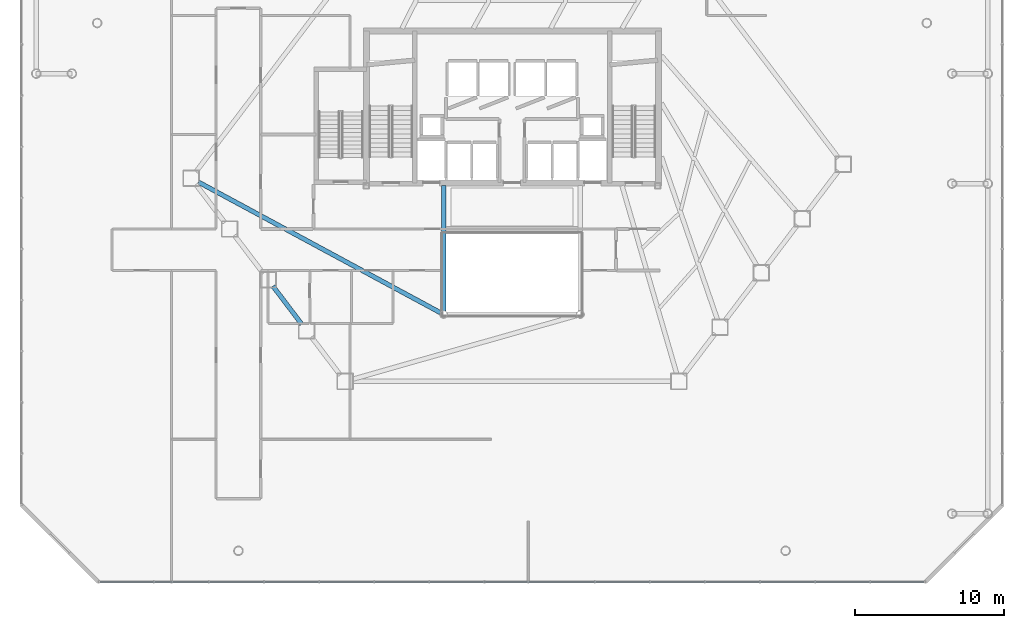
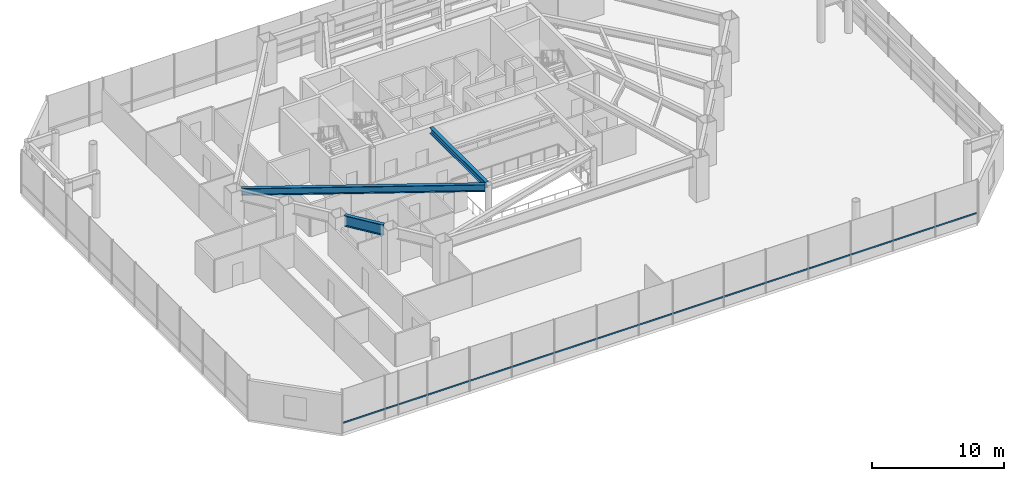
# One storey, part 11 of 33: 3 beams, 1 member, 1 element without a shape of its own.
"""IFC4 building model written with IfcOpenShell, lengths in metres."""

import ifcopenshell
import ifcopenshell.guid

model = None  # the IFC model being written
_history = None  # IfcOwnerHistory: only IFC2X3 demands one
_inside = {}  # id of a spatial element -> (the spatial element, [elements in it])
_under = {}  # id of a project, library or spatial element -> (it, [spatial elements below it])
_declared = {}  # id of a project -> (the project, [libraries it declares])
_typed = {}  # id of a type object -> (the type object, [elements of that type])
_made_of = {}  # id of a material, layer set ... -> (it, [elements and type objects made of it])


def new_model(schema):
    """Start an empty IFC model of exactly this schema.

    Asked for "IFC4X3", IfcOpenShell would pick the latest addendum, in which some entities
    have other attributes; the version numbers below select the first issue.
    IFC2X3 requires an IfcOwnerHistory on every rooted entity: one is made here for all.
    """
    global model, _history
    if schema == "IFC4X3":
        model = ifcopenshell.file(schema_version=(4, 3, 0, 0))
    else:
        model = ifcopenshell.file(schema=schema)
    _inside.clear()
    _under.clear()
    _declared.clear()
    _typed.clear()
    _made_of.clear()
    _history = None
    if model.schema == "IFC2X3":
        org = make("IfcOrganization", Name="unknown")
        user = make(
            "IfcPersonAndOrganization",
            ThePerson=make("IfcPerson", FamilyName="unknown"),
            TheOrganization=org,
        )
        app = make(
            "IfcApplication",
            ApplicationDeveloper=org,
            Version="unknown",
            ApplicationFullName="unknown",
            ApplicationIdentifier="unknown",
        )
        _history = make(
            "IfcOwnerHistory",
            OwningUser=user,
            OwningApplication=app,
            ChangeAction="ADDED",
            CreationDate=0,
        )
    return model


def make(cls, **values):
    """One entity of the class cls with the attributes given. An attribute that is None is left unset."""
    return model.create_entity(
        cls, **{name: value for name, value in values.items() if value is not None}
    )


def rooted(cls, **values):
    """An entity with a GlobalId (a new one), such as an element, a storey or a relation."""
    return make(cls, GlobalId=ifcopenshell.guid.new(), OwnerHistory=_history, **values)


def si_unit(unit_type, name, prefix=None):
    """IfcSIUnit, for example si_unit("LENGTHUNIT", "METRE", prefix="MILLI")."""
    return make("IfcSIUnit", UnitType=unit_type, Prefix=prefix, Name=name)


def assignment(units):
    """IfcUnitAssignment: the units of a project."""
    return None if units is None else make("IfcUnitAssignment", Units=units)


def point(xyz):
    """IfcCartesianPoint."""
    return None if xyz is None else make("IfcCartesianPoint", Coordinates=xyz)


def direction(xyz):
    """IfcDirection."""
    return None if xyz is None else make("IfcDirection", DirectionRatios=xyz)


def frame(location, z_axis=None, x_axis=None):
    """IfcAxis2Placement3D, a coordinate frame: its origin and axes. An axis left out is left unset."""
    return make(
        "IfcAxis2Placement3D",
        Location=point(location),
        Axis=direction(z_axis),
        RefDirection=direction(x_axis),
    )


def frame_2d(location, x_axis=None):
    """IfcAxis2Placement2D, a coordinate frame in the plane: its origin and x axis."""
    return make(
        "IfcAxis2Placement2D", Location=point(location), RefDirection=direction(x_axis)
    )


def origin():
    """The frame at (0, 0, 0) with its axes left unset."""
    return frame((0.0, 0.0, 0.0))


def origin_2d():
    """The frame at (0, 0) in the plane with its x axis left unset."""
    return frame_2d((0.0, 0.0))


def place(relative_to, where):
    """IfcLocalPlacement: puts the frame where relative to a parent placement (None: the world)."""
    return make(
        "IfcLocalPlacement", PlacementRelTo=relative_to, RelativePlacement=where
    )


def context(
    kind, dimensions, precision=None, world=None, true_north=None, identifier=None
):
    """IfcGeometricRepresentationContext, for example the 3D "Model" context."""
    return make(
        "IfcGeometricRepresentationContext",
        ContextIdentifier=identifier,
        ContextType=kind,
        CoordinateSpaceDimension=dimensions,
        Precision=precision,
        WorldCoordinateSystem=world,
        TrueNorth=true_north,
    )


def subcontext(parent, identifier, kind, view, scale=None):
    """IfcGeometricRepresentationSubContext, for example "Body" below "Model"."""
    return make(
        "IfcGeometricRepresentationSubContext",
        ContextIdentifier=identifier,
        ContextType=kind,
        ParentContext=parent,
        TargetScale=scale,
        TargetView=view,
    )


def project(units=None, contexts=None):
    """IfcProject with its units and contexts."""
    return rooted(
        "IfcProject",
        Name="project",
        RepresentationContexts=contexts,
        UnitsInContext=assignment(units),
    )


def spatial(cls, under=None, at=None, **own):
    """A site, building, storey or space (cls), placed at a placement, below another one or the project."""
    s = rooted(cls, ObjectPlacement=at, **own)
    if under is not None:
        _under.setdefault(under.id(), (under, []))[1].append(s)
    return s


def profile(cls, at=None, kind="AREA", **sizes):
    """A parametric profile (cls). Its sizes go by their IFC names, for example OverallWidth=200.0."""
    return make(cls, ProfileType=kind, Position=at, **sizes)


def hollow_rectangle(**sizes):
    """IfcRectangleHollowProfileDef."""
    return profile("IfcRectangleHollowProfileDef", **sizes)


def i_section(**sizes):
    """IfcIShapeProfileDef."""
    return profile("IfcIShapeProfileDef", **sizes)


def extrude(swept, where, along, depth):
    """IfcExtrudedAreaSolid: the profile swept, set in the frame where, extruded along a direction by depth."""
    return make(
        "IfcExtrudedAreaSolid",
        SweptArea=swept,
        Position=where,
        ExtrudedDirection=direction(along),
        Depth=depth,
    )


def shape(context_of_items, identifier, shape_type, items):
    """IfcShapeRepresentation: the items that make up one representation, for example the "Body"."""
    return make(
        "IfcShapeRepresentation",
        ContextOfItems=context_of_items,
        RepresentationIdentifier=identifier,
        RepresentationType=shape_type,
        Items=items,
    )


def material(Name=None, Category=None):
    """IfcMaterial."""
    return make("IfcMaterial", Name=Name, Category=Category)


def layer(
    of_material, thickness, ventilated=None, Name=None, Category=None, Priority=None
):
    """IfcMaterialLayer: one layer of a wall or slab, of a material (None: an air gap)."""
    return make(
        "IfcMaterialLayer",
        Material=of_material,
        LayerThickness=thickness,
        IsVentilated=ventilated,
        Name=Name,
        Category=Category,
        Priority=Priority,
    )


def layer_set(layers, Name=None):
    """IfcMaterialLayerSet."""
    return make("IfcMaterialLayerSet", MaterialLayers=layers, LayerSetName=Name)


def material_profile(
    of_material, cross_section, Name=None, Category=None, Priority=None
):
    """IfcMaterialProfile: a cross section and its material."""
    return make(
        "IfcMaterialProfile",
        Name=Name,
        Material=of_material,
        Profile=cross_section,
        Priority=Priority,
        Category=Category,
    )


def profile_set(profiles, Name=None, composite=None):
    """IfcMaterialProfileSet."""
    return make(
        "IfcMaterialProfileSet",
        Name=Name,
        MaterialProfiles=profiles,
        CompositeProfile=composite,
    )


def made_of(thing, what):
    """Note that an element or type object is made of a material, layer set ...; save() writes the relation."""
    if what is not None:
        _made_of.setdefault(what.id(), (what, []))[1].append(thing)
    return thing


def type_object(cls, material=None, **own):
    """A type object (cls), such as IfcWallType, which elements share."""
    return made_of(rooted(cls, **own), material)


def element(
    cls,
    number,
    at=None,
    inside=None,
    cuts=None,
    type_object=None,
    material=None,
    context=None,
    identifier="Body",
    shape_type=None,
    held_by="IfcProductDefinitionShape",
    body=None,
    shapes=None,
    **own,
):
    """One element of the class cls, such as IfcWall. Its Tag is "e" and its number.

    at: its placement. inside: the storey or other place that contains it. cuts: it is an
    opening in that element (IfcRelVoidsElement). A single representation is given by context,
    identifier, shape_type and body (its items); several are given by shapes. held_by: the class
    of the entity that holds the representations. save() writes the other relations.
    """
    e = rooted(cls, Tag="e%d" % number, ObjectPlacement=at, **own)
    if body is not None:
        shapes = [shape(context, identifier, shape_type, body)]
    if shapes is not None:
        e.Representation = make(held_by, Representations=shapes)
    if inside is not None:
        _inside.setdefault(inside.id(), (inside, []))[1].append(e)
    if cuts is not None:
        rooted(
            "IfcRelVoidsElement", RelatingBuildingElement=cuts, RelatedOpeningElement=e
        )
    if type_object is not None:
        _typed.setdefault(type_object.id(), (type_object, []))[1].append(e)
    return made_of(e, material)


def aggregate(whole, parts):
    """IfcRelAggregates: a whole, such as a stair, and the parts it consists of."""
    return rooted("IfcRelAggregates", RelatingObject=whole, RelatedObjects=parts)


def save(model, path):
    """Write the relations noted so far, then the file.

    IfcRelAggregates (storeys below a building ...), IfcRelContainedInSpatialStructure (elements
    in a storey), IfcRelDefinesByType, IfcRelAssociatesMaterial and IfcRelDeclares: one each for
    every whole, place, type object, material and project.
    """
    for whole, parts in _under.values():
        aggregate(whole, parts)
    for where, things in _inside.values():
        rooted(
            "IfcRelContainedInSpatialStructure",
            RelatedElements=things,
            RelatingStructure=where,
        )
    for kind, things in _typed.values():
        rooted("IfcRelDefinesByType", RelatedObjects=things, RelatingType=kind)
    for what, things in _made_of.values():
        rooted("IfcRelAssociatesMaterial", RelatedObjects=things, RelatingMaterial=what)
    for by, libraries in _declared.values():
        rooted("IfcRelDeclares", RelatingContext=by, RelatedDefinitions=libraries)
    model.write(path)


model = new_model("IFC4")

# Units and contexts
model_context = context("Model", 3, precision=1e-05, world=origin(), true_north=direction((0.0, 1.0)))
body_context = subcontext(model_context, "Body", "Model", "MODEL_VIEW")
ifc_project = project(units=[si_unit("LENGTHUNIT", "METRE"), si_unit("AREAUNIT", "SQUARE_METRE"), si_unit("VOLUMEUNIT", "CUBIC_METRE"), si_unit("PLANEANGLEUNIT", "RADIAN"), si_unit("MASSUNIT", "GRAM", prefix="KILO")], contexts=[model_context])

# Site, building, storey
site_placement = place(None, origin())
site = spatial("IfcSite", under=ifc_project, at=site_placement, CompositionType="ELEMENT")
building_placement = place(site_placement, origin())
building = spatial("IfcBuilding", under=site, at=building_placement, Name="Zarrinselat Tower", CompositionType="ELEMENT")
storey_placement = place(building_placement, frame((0.0, 0.0, 18.360107421875)))
storey = spatial("IfcBuildingStorey", under=building, at=storey_placement, Name="L04", CompositionType="ELEMENT", Elevation=18.360107421875)

# Beams
ifc_material_1 = material(Name="Steel S355J2", Category="steel")
ifc_material_profile_1 = material_profile(ifc_material_1, i_section(OverallWidth=0.300048828125, OverallDepth=0.550048828125, WebThickness=0.014892578125, FlangeThickness=0.029052734375, at=origin_2d()), Name="HEB 550")
ifc_profile_set_1 = profile_set([ifc_material_profile_1], Name="Steel S355J2")
beam_type_1 = type_object("IfcBeamType", Name="BM-HEB550", PredefinedType="BEAM", material=ifc_profile_set_1)
beam_1_placement = place(storey_placement, frame((33.800048828125, 24.639892578125, 3.794921875), z_axis=(0.0, 1.0, 0.0), x_axis=(-1.0, 0.0, 0.0)))
element("IfcBeam", 1, at=beam_1_placement, inside=storey, type_object=beam_type_1, Name="L04 Atrium Edge Beam W", PredefinedType="BEAM", context=body_context, shape_type="SweptSolid", body=[
    extrude(i_section(OverallWidth=0.300048828125, OverallDepth=0.550048828125, WebThickness=0.014892578125, FlangeThickness=0.029052734375, at=origin_2d()), origin(), (0.0, 0.0, 1.0), 8.420166015625),
])
ifc_material_2 = material(Name="Steel S355J2", Category="steel")
ifc_material_profile_2 = material_profile(ifc_material_2, i_section(OverallWidth=0.300048828125, OverallDepth=0.64990234375, WebThickness=0.01611328125, FlangeThickness=0.031005859375, at=origin_2d()), Name="HEB 650")
ifc_profile_set_2 = profile_set([ifc_material_profile_2], Name="Steel S355J2")
beam_type_2 = type_object("IfcBeamType", Name="BM-HEB650", PredefinedType="BEAM", material=ifc_profile_set_2)
beam_2_placement = place(storey_placement, frame((17.30126953125, 33.305908203125, 3.744873046875), z_axis=(0.879983295663, -0.475004630876, 0.0), x_axis=(0.475004630876, 0.879983295663, 0.0)))
element("IfcBeam", 2, at=beam_2_placement, inside=storey, type_object=beam_type_2, Name="L04 Radial Primary Girder RG06", PredefinedType="BEAM", context=body_context, shape_type="SweptSolid", body=[
    extrude(i_section(OverallWidth=0.300048828125, OverallDepth=0.64990234375, WebThickness=0.01611328125, FlangeThickness=0.031005859375, at=origin_2d()), origin(), (0.0, 0.0, 1.0), 18.4990234375),
])
ifc_material_3 = material(Name="Steel S460M", Category="steel")
ifc_material_profile_3 = material_profile(ifc_material_3, i_section(OverallWidth=0.302001953125, OverallDepth=1.008056640625, WebThickness=0.02099609375, FlangeThickness=0.0400390625, at=origin_2d()), Name="HEM 1000")
ifc_profile_set_3 = profile_set([ifc_material_profile_3], Name="Steel S460M")
beam_type_3 = type_object("IfcBeamType", Name="BM-HEM1000", PredefinedType="BEAM", material=ifc_profile_set_3)
beam_3_placement = place(storey_placement, frame((22.319091796875, 26.30322265625, 3.56591796875), z_axis=(0.6038723216, -0.797081061878, 0.0), x_axis=(0.797081061878, 0.6038723216, 0.0)))
element("IfcBeam", 3, at=beam_3_placement, inside=storey, type_object=beam_type_3, Name="L04 Perimeter Spandrel Girder SP08", PredefinedType="BEAM", context=body_context, shape_type="SweptSolid", body=[
    extrude(i_section(OverallWidth=0.302001953125, OverallDepth=1.008056640625, WebThickness=0.02099609375, FlangeThickness=0.0400390625, at=origin_2d()), origin(), (0.0, 0.0, 1.0), 3.212158203125),
])

# Curtain wall, member
ifc_material_4 = material(Name="Extruded Aluminium Alloy EN AW-6063 T6", Category="aluminium")
ifc_layer = layer(ifc_material_4, 0.2099609375)
ifc_layer_set = layer_set([ifc_layer], Name="Extruded Aluminium Alloy EN AW-6063 T6")
curtain_wall_type = type_object("IfcCurtainWallType", Name="CWS-POD", PredefinedType="NOTDEFINED", material=ifc_layer_set)
curtain_wall_placement = place(storey_placement, origin())
curtain_wall = element("IfcCurtainWall", 4, at=curtain_wall_placement, inside=storey, type_object=curtain_wall_type, Name="L04 Unitised Curtain Wall CW-L04-F1", PredefinedType="NOTDEFINED")
ifc_material_5 = material(Name="Extruded Aluminium Alloy EN AW-6063 T6", Category="aluminium")
ifc_material_profile_4 = material_profile(ifc_material_5, hollow_rectangle(XDim=0.06005859375, YDim=0.139892578125, WallThickness=0.00390625, at=origin_2d()), Name="RHS 140x60x4")
ifc_profile_set_4 = profile_set([ifc_material_profile_4], Name="Extruded Aluminium Alloy EN AW-6063 T6")
member_type = type_object("IfcMemberType", Name="MEM-CW-TRN", PredefinedType="USERDEFINED", material=ifc_profile_set_4)
member_placement = place(storey_placement, frame((10.68994140625, 6.39990234375, 0.949951171875), z_axis=(1.0, 0.0, 0.0), x_axis=(0.0, 1.0, 0.0)))
member = element("IfcMember", 5, at=member_placement, type_object=member_type, Name="CW-L04-F1 Transom 1", ObjectType="TRANSOM", PredefinedType="USERDEFINED", context=body_context, shape_type="SweptSolid", body=[
    extrude(hollow_rectangle(XDim=0.06005859375, YDim=0.139892578125, WallThickness=0.00390625, at=origin_2d()), origin(), (0.0, 0.0, 1.0), 55.420166015625),
])
aggregate(curtain_wall, [member])

save(model, "model.ifc")
